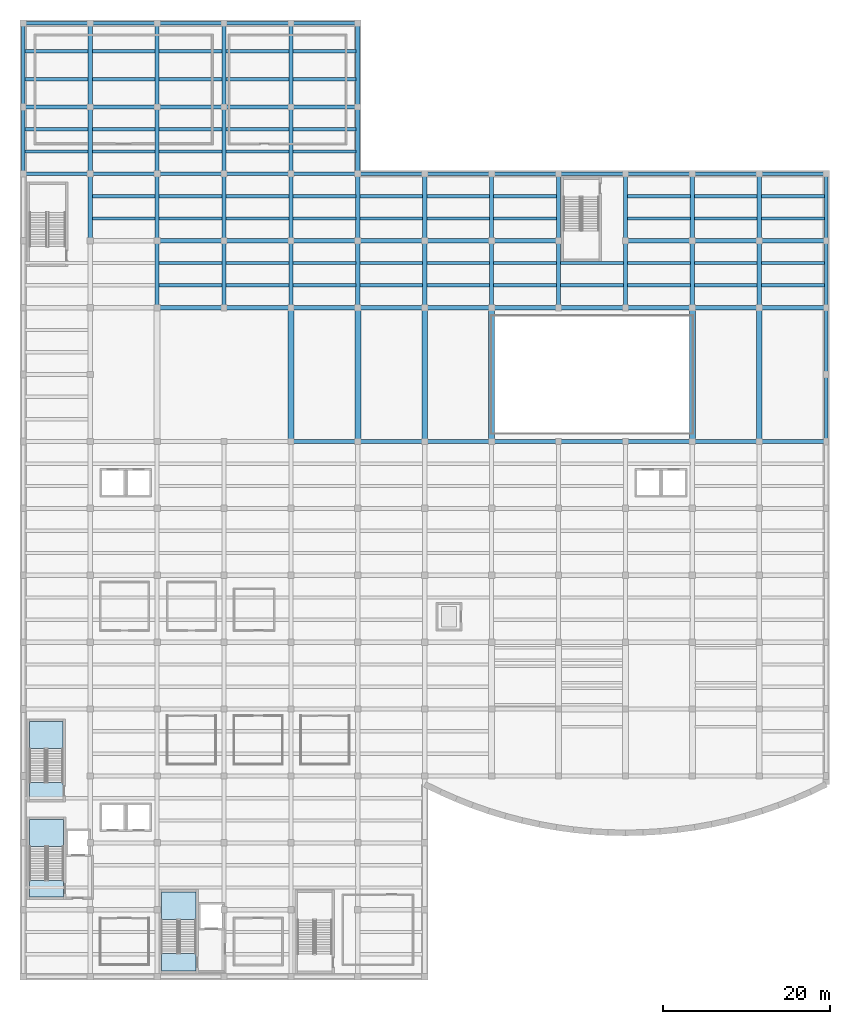
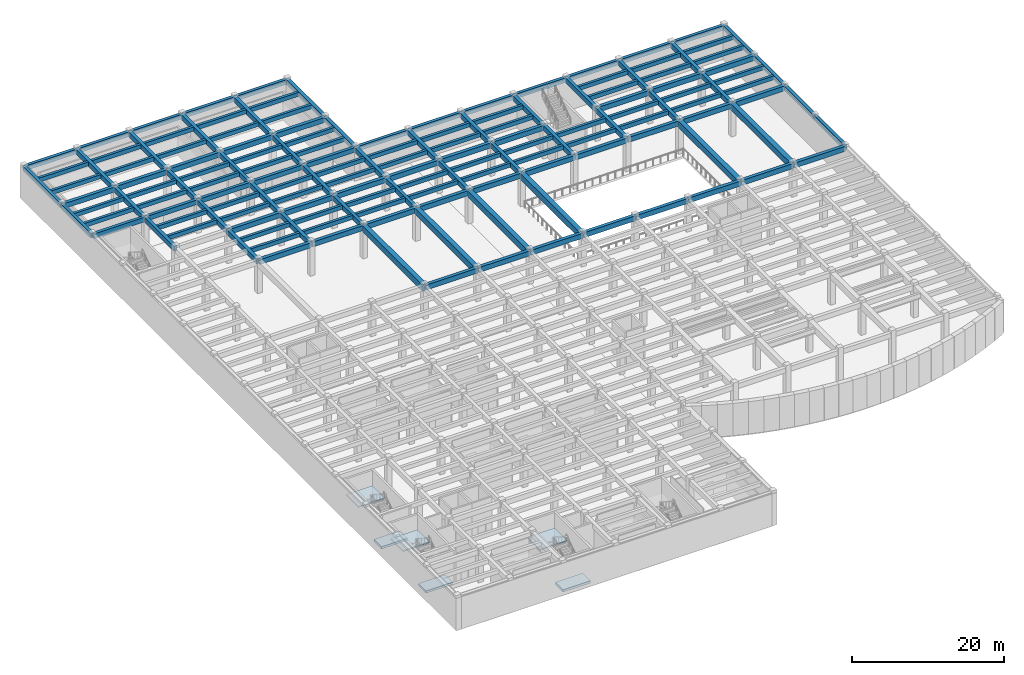
# One storey, part 3 of 19: 152 beams, 6 slabs, 3 elements without a shape of their own.
"""IFC4 building model written with IfcOpenShell, lengths in metres."""

from ifc_helpers import new_model, si_unit, direction, frame, origin, origin_2d, place, context, subcontext, project, spatial, polyline, rectangle, outline, extrude, material, layer, layer_set, material_profile, profile_set, type_object, element, aggregate, save


model = new_model("IFC4")

# Units and contexts
model_context = context("Model", 3, precision=1e-05, world=origin(), true_north=direction((0.0, 1.0)))
body_context = subcontext(model_context, "Body", "Model", "MODEL_VIEW")
ifc_project = project(units=[si_unit("LENGTHUNIT", "METRE"), si_unit("AREAUNIT", "SQUARE_METRE"), si_unit("VOLUMEUNIT", "CUBIC_METRE"), si_unit("PLANEANGLEUNIT", "RADIAN"), si_unit("MASSUNIT", "GRAM", prefix="KILO")], contexts=[model_context])

# Site, building, storey
site_placement = place(None, origin())
site = spatial("IfcSite", under=ifc_project, at=site_placement, CompositionType="ELEMENT")
building_placement = place(site_placement, origin())
building = spatial("IfcBuilding", under=site, at=building_placement, Name="Drelvath Fold Interchange", CompositionType="ELEMENT")
storey_placement = place(building_placement, frame((0.0, 0.0, -5.60009765625)))
storey = spatial("IfcBuildingStorey", under=building, at=storey_placement, Name="B1", CompositionType="ELEMENT", Elevation=-5.60009765625)

# Beams
ifc_material_1 = material(Name="Concrete f'c 45 MPa (6500 psi)", Category="concrete")
ifc_material_profile_1 = material_profile(ifc_material_1, rectangle(XDim=0.39990234375, YDim=0.64990234375, at=origin_2d()), Name="RC 400x650")
ifc_profile_set_1 = profile_set([ifc_material_profile_1], Name="Concrete f'c 45 MPa (6500 psi)")
beam_type_1 = type_object("IfcBeamType", Name="BM-RC400", PredefinedType="JOIST", material=ifc_profile_set_1)
for number, where, z_axis, x_axis, name in (
    (1, (4.222900390625, 101.6669921875, 4.955078125), (1.0, 0.0, 0.0), (0.0, 1.0, 0.0), "B1 Secondary floor joist BM-RC400"),
    (2, (4.222900390625, 104.3330078125, 4.955078125), (1.0, 0.0, 0.0), (0.0, 1.0, 0.0), "B1 Secondary floor joist BM-RC400"),
    (3, (4.222900390625, 110.3330078125, 4.955078125), (1.0, 0.0, 0.0), (0.0, 1.0, 0.0), "B1 Secondary floor joist BM-RC400"),
    (4, (4.222900390625, 113.6669921875, 4.955078125), (1.0, 0.0, 0.0), (0.0, 1.0, 0.0), "B1 Secondary floor joist BM-RC400"),
):
    element("IfcBeam", number, at=place(storey_placement, frame(where, z_axis=z_axis, x_axis=x_axis)), inside=storey, type_object=beam_type_1, Name=name, PredefinedType="JOIST", context=body_context, shape_type="SweptSolid", body=[
        extrude(rectangle(XDim=0.39990234375, YDim=0.64990234375, at=origin_2d()), origin(), (0.0, 0.0, 1.0), 7.529052734375),
    ])
for number, where, z_axis, x_axis, name in (
    (5, (12.248046875, 93.6669921875, 4.955078125), (1.0, 0.0, 0.0), (0.0, 1.0, 0.0), "B1 Secondary floor joist BM-RC400"),
    (6, (12.248046875, 96.3330078125, 4.955078125), (1.0, 0.0, 0.0), (0.0, 1.0, 0.0), "B1 Secondary floor joist BM-RC400"),
    (7, (12.248046875, 101.6669921875, 4.955078125), (1.0, 0.0, 0.0), (0.0, 1.0, 0.0), "B1 Secondary floor joist BM-RC400"),
    (8, (12.248046875, 104.3330078125, 4.955078125), (1.0, 0.0, 0.0), (0.0, 1.0, 0.0), "B1 Secondary floor joist BM-RC400"),
    (9, (12.248046875, 110.3330078125, 4.955078125), (1.0, 0.0, 0.0), (0.0, 1.0, 0.0), "B1 Secondary floor joist BM-RC400"),
    (10, (12.248046875, 113.6669921875, 4.955078125), (1.0, 0.0, 0.0), (0.0, 1.0, 0.0), "B1 Secondary floor joist BM-RC400"),
    (11, (20.248046875, 85.6669921875, 4.955078125), (1.0, 0.0, 0.0), (0.0, 1.0, 0.0), "B1 Secondary floor joist BM-RC400"),
    (12, (20.248046875, 88.3330078125, 4.955078125), (1.0, 0.0, 0.0), (0.0, 1.0, 0.0), "B1 Secondary floor joist BM-RC400"),
    (13, (20.248046875, 93.6669921875, 4.955078125), (1.0, 0.0, 0.0), (0.0, 1.0, 0.0), "B1 Secondary floor joist BM-RC400"),
    (14, (20.248046875, 96.3330078125, 4.955078125), (1.0, 0.0, 0.0), (0.0, 1.0, 0.0), "B1 Secondary floor joist BM-RC400"),
    (15, (20.248046875, 101.6669921875, 4.955078125), (1.0, 0.0, 0.0), (0.0, 1.0, 0.0), "B1 Secondary floor joist BM-RC400"),
    (16, (20.248046875, 104.3330078125, 4.955078125), (1.0, 0.0, 0.0), (0.0, 1.0, 0.0), "B1 Secondary floor joist BM-RC400"),
    (17, (20.248046875, 110.3330078125, 4.955078125), (1.0, 0.0, 0.0), (0.0, 1.0, 0.0), "B1 Secondary floor joist BM-RC400"),
    (18, (20.248046875, 113.6669921875, 4.955078125), (1.0, 0.0, 0.0), (0.0, 1.0, 0.0), "B1 Secondary floor joist BM-RC400"),
    (19, (28.248046875, 85.6669921875, 4.955078125), (1.0, 0.0, 0.0), (0.0, 1.0, 0.0), "B1 Secondary floor joist BM-RC400"),
    (20, (28.248046875, 88.3330078125, 4.955078125), (1.0, 0.0, 0.0), (0.0, 1.0, 0.0), "B1 Secondary floor joist BM-RC400"),
    (21, (28.248046875, 93.6669921875, 4.955078125), (1.0, 0.0, 0.0), (0.0, 1.0, 0.0), "B1 Secondary floor joist BM-RC400"),
    (22, (28.248046875, 96.3330078125, 4.955078125), (1.0, 0.0, 0.0), (0.0, 1.0, 0.0), "B1 Secondary floor joist BM-RC400"),
    (23, (28.248046875, 101.6669921875, 4.955078125), (1.0, 0.0, 0.0), (0.0, 1.0, 0.0), "B1 Secondary floor joist BM-RC400"),
    (24, (28.248046875, 104.3330078125, 4.955078125), (1.0, 0.0, 0.0), (0.0, 1.0, 0.0), "B1 Secondary floor joist BM-RC400"),
    (25, (28.248046875, 110.3330078125, 4.955078125), (1.0, 0.0, 0.0), (0.0, 1.0, 0.0), "B1 Secondary floor joist BM-RC400"),
    (26, (28.248046875, 113.6669921875, 4.955078125), (1.0, 0.0, 0.0), (0.0, 1.0, 0.0), "B1 Secondary floor joist BM-RC400"),
    (27, (36.248046875, 85.6669921875, 4.955078125), (1.0, 0.0, 0.0), (0.0, 1.0, 0.0), "B1 Secondary floor joist BM-RC400"),
    (28, (36.248046875, 88.3330078125, 4.955078125), (1.0, 0.0, 0.0), (0.0, 1.0, 0.0), "B1 Secondary floor joist BM-RC400"),
    (29, (36.248046875, 93.6669921875, 4.955078125), (1.0, 0.0, 0.0), (0.0, 1.0, 0.0), "B1 Secondary floor joist BM-RC400"),
    (30, (36.248046875, 96.3330078125, 4.955078125), (1.0, 0.0, 0.0), (0.0, 1.0, 0.0), "B1 Secondary floor joist BM-RC400"),
    (31, (36.248046875, 101.6669921875, 4.955078125), (1.0, 0.0, 0.0), (0.0, 1.0, 0.0), "B1 Secondary floor joist BM-RC400"),
    (32, (36.248046875, 104.3330078125, 4.955078125), (1.0, 0.0, 0.0), (0.0, 1.0, 0.0), "B1 Secondary floor joist BM-RC400"),
    (33, (36.248046875, 110.3330078125, 4.955078125), (1.0, 0.0, 0.0), (0.0, 1.0, 0.0), "B1 Secondary floor joist BM-RC400"),
    (34, (36.248046875, 113.6669921875, 4.955078125), (1.0, 0.0, 0.0), (0.0, 1.0, 0.0), "B1 Secondary floor joist BM-RC400"),
    (35, (44.248046875, 85.6669921875, 4.955078125), (1.0, 0.0, 0.0), (0.0, 1.0, 0.0), "B1 Secondary floor joist BM-RC400"),
    (36, (44.248046875, 88.3330078125, 4.955078125), (1.0, 0.0, 0.0), (0.0, 1.0, 0.0), "B1 Secondary floor joist BM-RC400"),
    (37, (44.248046875, 93.6669921875, 4.955078125), (1.0, 0.0, 0.0), (0.0, 1.0, 0.0), "B1 Secondary floor joist BM-RC400"),
    (38, (44.248046875, 96.3330078125, 4.955078125), (1.0, 0.0, 0.0), (0.0, 1.0, 0.0), "B1 Secondary floor joist BM-RC400"),
    (39, (52.248046875, 85.6669921875, 4.955078125), (1.0, 0.0, 0.0), (0.0, 1.0, 0.0), "B1 Secondary floor joist BM-RC400"),
    (40, (52.248046875, 88.3330078125, 4.955078125), (1.0, 0.0, 0.0), (0.0, 1.0, 0.0), "B1 Secondary floor joist BM-RC400"),
    (41, (52.248046875, 93.6669921875, 4.955078125), (1.0, 0.0, 0.0), (0.0, 1.0, 0.0), "B1 Secondary floor joist BM-RC400"),
    (42, (52.248046875, 96.3330078125, 4.955078125), (1.0, 0.0, 0.0), (0.0, 1.0, 0.0), "B1 Secondary floor joist BM-RC400"),
    (43, (60.248046875, 85.6669921875, 4.955078125), (1.0, 0.0, 0.0), (0.0, 1.0, 0.0), "B1 Secondary floor joist BM-RC400"),
    (44, (60.248046875, 88.3330078125, 4.955078125), (1.0, 0.0, 0.0), (0.0, 1.0, 0.0), "B1 Secondary floor joist BM-RC400"),
    (45, (60.248046875, 93.6669921875, 4.955078125), (1.0, 0.0, 0.0), (0.0, 1.0, 0.0), "B1 Secondary floor joist BM-RC400"),
    (46, (60.248046875, 96.3330078125, 4.955078125), (1.0, 0.0, 0.0), (0.0, 1.0, 0.0), "B1 Secondary floor joist BM-RC400"),
    (47, (68.248046875, 85.6669921875, 4.955078125), (1.0, 0.0, 0.0), (0.0, 1.0, 0.0), "B1 Secondary floor joist BM-RC400"),
    (48, (68.248046875, 88.3330078125, 4.955078125), (1.0, 0.0, 0.0), (0.0, 1.0, 0.0), "B1 Secondary floor joist BM-RC400"),
    (49, (76.248046875, 85.6669921875, 4.955078125), (1.0, 0.0, 0.0), (0.0, 1.0, 0.0), "B1 Secondary floor joist BM-RC400"),
    (50, (76.248046875, 88.3330078125, 4.955078125), (1.0, 0.0, 0.0), (0.0, 1.0, 0.0), "B1 Secondary floor joist BM-RC400"),
    (51, (76.248046875, 93.6669921875, 4.955078125), (1.0, 0.0, 0.0), (0.0, 1.0, 0.0), "B1 Secondary floor joist BM-RC400"),
    (52, (76.248046875, 96.3330078125, 4.955078125), (1.0, 0.0, 0.0), (0.0, 1.0, 0.0), "B1 Secondary floor joist BM-RC400"),
    (53, (84.248046875, 85.6669921875, 4.955078125), (1.0, 0.0, 0.0), (0.0, 1.0, 0.0), "B1 Secondary floor joist BM-RC400"),
    (54, (84.248046875, 88.3330078125, 4.955078125), (1.0, 0.0, 0.0), (0.0, 1.0, 0.0), "B1 Secondary floor joist BM-RC400"),
    (55, (84.248046875, 93.6669921875, 4.955078125), (1.0, 0.0, 0.0), (0.0, 1.0, 0.0), "B1 Secondary floor joist BM-RC400"),
    (56, (84.248046875, 96.3330078125, 4.955078125), (1.0, 0.0, 0.0), (0.0, 1.0, 0.0), "B1 Secondary floor joist BM-RC400"),
):
    element("IfcBeam", number, at=place(storey_placement, frame(where, z_axis=z_axis, x_axis=x_axis)), inside=storey, type_object=beam_type_1, Name=name, PredefinedType="JOIST", context=body_context, shape_type="SweptSolid", body=[
        extrude(rectangle(XDim=0.39990234375, YDim=0.64990234375, at=origin_2d()), origin(), (0.0, 0.0, 1.0), 7.50390625),
    ])
for number, where, z_axis, x_axis, name in (
    (57, (92.248046875, 85.6669921875, 4.955078125), (1.0, 0.0, 0.0), (0.0, 1.0, 0.0), "B1 Secondary floor joist BM-RC400"),
    (58, (92.248046875, 88.3330078125, 4.955078125), (1.0, 0.0, 0.0), (0.0, 1.0, 0.0), "B1 Secondary floor joist BM-RC400"),
    (59, (92.248046875, 93.6669921875, 4.955078125), (1.0, 0.0, 0.0), (0.0, 1.0, 0.0), "B1 Secondary floor joist BM-RC400"),
    (60, (92.248046875, 96.3330078125, 4.955078125), (1.0, 0.0, 0.0), (0.0, 1.0, 0.0), "B1 Secondary floor joist BM-RC400"),
):
    element("IfcBeam", number, at=place(storey_placement, frame(where, z_axis=z_axis, x_axis=x_axis)), inside=storey, type_object=beam_type_1, Name=name, PredefinedType="JOIST", context=body_context, shape_type="SweptSolid", body=[
        extrude(rectangle(XDim=0.39990234375, YDim=0.64990234375, at=origin_2d()), origin(), (0.0, 0.0, 1.0), 7.529052734375),
    ])
ifc_material_profile_2 = material_profile(ifc_material_1, rectangle(XDim=0.449951171875, YDim=0.75, at=origin_2d()), Name="RC 450x750")
ifc_profile_set_2 = profile_set([ifc_material_profile_2], Name="Concrete f'c 45 MPa (6500 psi)")
beam_type_2 = type_object("IfcBeamType", Name="BM-RC450", PredefinedType="SPANDREL", material=ifc_profile_set_2)
for number, where, z_axis, x_axis, name in (
    (61, (4.06005859375, 99.0, 4.905029296875), (1.0, 0.0, 0.0), (0.0, 1.0, 0.0), "B1 Primary X girder BM-RC450"),
    (62, (12.06005859375, 99.0, 4.905029296875), (1.0, 0.0, 0.0), (0.0, 1.0, 0.0), "B1 Primary X girder BM-RC450"),
    (63, (20.06005859375, 99.0, 4.905029296875), (1.0, 0.0, 0.0), (0.0, 1.0, 0.0), "B1 Primary X girder BM-RC450"),
    (64, (28.06005859375, 99.0, 4.905029296875), (1.0, 0.0, 0.0), (0.0, 1.0, 0.0), "B1 Primary X girder BM-RC450"),
    (65, (36.06005859375, 99.0, 4.905029296875), (1.0, 0.0, 0.0), (0.0, 1.0, 0.0), "B1 Primary X girder BM-RC450"),
    (66, (44.06005859375, 99.0, 4.905029296875), (1.0, 0.0, 0.0), (0.0, 1.0, 0.0), "B1 Primary X girder BM-RC450"),
    (67, (52.06005859375, 99.0, 4.905029296875), (1.0, 0.0, 0.0), (0.0, 1.0, 0.0), "B1 Primary X girder BM-RC450"),
    (68, (60.06005859375, 99.0, 4.905029296875), (1.0, 0.0, 0.0), (0.0, 1.0, 0.0), "B1 Primary X girder BM-RC450"),
    (69, (68.06005859375, 99.0, 4.905029296875), (1.0, 0.0, 0.0), (0.0, 1.0, 0.0), "B1 Primary X girder BM-RC450"),
    (70, (76.06005859375, 99.0, 4.905029296875), (1.0, 0.0, 0.0), (0.0, 1.0, 0.0), "B1 Primary X girder BM-RC450"),
    (71, (84.06005859375, 99.0, 4.905029296875), (1.0, 0.0, 0.0), (0.0, 1.0, 0.0), "B1 Primary X girder BM-RC450"),
    (72, (92.06005859375, 99.0, 4.905029296875), (1.0, 0.0, 0.0), (0.0, 1.0, 0.0), "B1 Primary X girder BM-RC450"),
    (73, (4.06005859375, 117.0, 4.905029296875), (1.0, 0.0, 0.0), (0.0, 1.0, 0.0), "B1 Primary X girder BM-RC450"),
    (74, (12.06005859375, 117.0, 4.905029296875), (1.0, 0.0, 0.0), (0.0, 1.0, 0.0), "B1 Primary X girder BM-RC450"),
    (75, (20.06005859375, 117.0, 4.905029296875), (1.0, 0.0, 0.0), (0.0, 1.0, 0.0), "B1 Primary X girder BM-RC450"),
    (76, (28.06005859375, 117.0, 4.905029296875), (1.0, 0.0, 0.0), (0.0, 1.0, 0.0), "B1 Primary X girder BM-RC450"),
    (77, (36.06005859375, 117.0, 4.905029296875), (1.0, 0.0, 0.0), (0.0, 1.0, 0.0), "B1 Primary X girder BM-RC450"),
    (78, (4.0, 99.06005859375, 4.905029296875), (0.0, 1.0, 0.0), (-1.0, 0.0, 0.0), "B1 Primary Y girder BM-RC450"),
):
    element("IfcBeam", number, at=place(storey_placement, frame(where, z_axis=z_axis, x_axis=x_axis)), inside=storey, type_object=beam_type_2, Name=name, PredefinedType="SPANDREL", context=body_context, shape_type="SweptSolid", body=[
        extrude(rectangle(XDim=0.449951171875, YDim=0.75, at=origin_2d()), origin(), (0.0, 0.0, 1.0), 7.8798828125),
    ])
beam_1_placement = place(storey_placement, frame((4.0, 107.06005859375, 4.905029296875), z_axis=(0.0, 1.0, 0.0), x_axis=(-1.0, 0.0, 0.0)))
element("IfcBeam", 79, at=beam_1_placement, inside=storey, type_object=beam_type_2, Name="B1 Primary Y girder BM-RC450", PredefinedType="SPANDREL", context=body_context, shape_type="SweptSolid", body=[
    extrude(rectangle(XDim=0.449951171875, YDim=0.75, at=origin_2d()), origin(), (0.0, 0.0, 1.0), 9.8798828125),
])
for number, where, z_axis, x_axis, name in (
    (80, (100.0, 67.06005859375, 4.905029296875), (0.0, 1.0, 0.0), (-1.0, 0.0, 0.0), "B1 Primary Y girder BM-RC450"),
    (81, (100.0, 75.06005859375, 4.905029296875), (0.0, 1.0, 0.0), (-1.0, 0.0, 0.0), "B1 Primary Y girder BM-RC450"),
    (82, (100.0, 83.06005859375, 4.905029296875), (0.0, 1.0, 0.0), (-1.0, 0.0, 0.0), "B1 Primary Y girder BM-RC450"),
    (83, (100.0, 91.06005859375, 4.905029296875), (0.0, 1.0, 0.0), (-1.0, 0.0, 0.0), "B1 Primary Y girder BM-RC450"),
):
    element("IfcBeam", number, at=place(storey_placement, frame(where, z_axis=z_axis, x_axis=x_axis)), inside=storey, type_object=beam_type_2, Name=name, PredefinedType="SPANDREL", context=body_context, shape_type="SweptSolid", body=[
        extrude(rectangle(XDim=0.449951171875, YDim=0.75, at=origin_2d()), origin(), (0.0, 0.0, 1.0), 7.8798828125),
    ])
ifc_material_profile_3 = material_profile(ifc_material_1, rectangle(XDim=0.5, YDim=0.800048828125, at=origin_2d()), Name="RC 500x800")
ifc_profile_set_3 = profile_set([ifc_material_profile_3], Name="Concrete f'c 45 MPa (6500 psi)")
beam_type_3 = type_object("IfcBeamType", Name="BM-RC500", PredefinedType="BEAM", material=ifc_profile_set_3)
for number, where, z_axis, x_axis, name in (
    (84, (36.06005859375, 67.0, 4.880126953125), (1.0, 0.0, 0.0), (0.0, 1.0, 0.0), "B1 Primary X girder BM-RC500"),
    (85, (44.06005859375, 67.0, 4.880126953125), (1.0, 0.0, 0.0), (0.0, 1.0, 0.0), "B1 Primary X girder BM-RC500"),
    (86, (52.06005859375, 67.0, 4.880126953125), (1.0, 0.0, 0.0), (0.0, 1.0, 0.0), "B1 Primary X girder BM-RC500"),
    (87, (60.06005859375, 67.0, 4.880126953125), (1.0, 0.0, 0.0), (0.0, 1.0, 0.0), "B1 Primary X girder BM-RC500"),
    (88, (68.06005859375, 67.0, 4.880126953125), (1.0, 0.0, 0.0), (0.0, 1.0, 0.0), "B1 Primary X girder BM-RC500"),
    (89, (76.06005859375, 67.0, 4.880126953125), (1.0, 0.0, 0.0), (0.0, 1.0, 0.0), "B1 Primary X girder BM-RC500"),
    (90, (84.06005859375, 67.0, 4.880126953125), (1.0, 0.0, 0.0), (0.0, 1.0, 0.0), "B1 Primary X girder BM-RC500"),
    (91, (92.06005859375, 67.0, 4.880126953125), (1.0, 0.0, 0.0), (0.0, 1.0, 0.0), "B1 Primary X girder BM-RC500"),
    (92, (20.06005859375, 83.0, 4.880126953125), (1.0, 0.0, 0.0), (0.0, 1.0, 0.0), "B1 Primary X girder BM-RC500"),
    (93, (28.06005859375, 83.0, 4.880126953125), (1.0, 0.0, 0.0), (0.0, 1.0, 0.0), "B1 Primary X girder BM-RC500"),
    (94, (36.06005859375, 83.0, 4.880126953125), (1.0, 0.0, 0.0), (0.0, 1.0, 0.0), "B1 Primary X girder BM-RC500"),
    (95, (44.06005859375, 83.0, 4.880126953125), (1.0, 0.0, 0.0), (0.0, 1.0, 0.0), "B1 Primary X girder BM-RC500"),
    (96, (52.06005859375, 83.0, 4.880126953125), (1.0, 0.0, 0.0), (0.0, 1.0, 0.0), "B1 Primary X girder BM-RC500"),
    (97, (60.06005859375, 83.0, 4.880126953125), (1.0, 0.0, 0.0), (0.0, 1.0, 0.0), "B1 Primary X girder BM-RC500"),
    (98, (68.06005859375, 83.0, 4.880126953125), (1.0, 0.0, 0.0), (0.0, 1.0, 0.0), "B1 Primary X girder BM-RC500"),
    (99, (76.06005859375, 83.0, 4.880126953125), (1.0, 0.0, 0.0), (0.0, 1.0, 0.0), "B1 Primary X girder BM-RC500"),
    (100, (84.06005859375, 83.0, 4.880126953125), (1.0, 0.0, 0.0), (0.0, 1.0, 0.0), "B1 Primary X girder BM-RC500"),
    (101, (92.06005859375, 83.0, 4.880126953125), (1.0, 0.0, 0.0), (0.0, 1.0, 0.0), "B1 Primary X girder BM-RC500"),
    (102, (20.06005859375, 91.0, 4.880126953125), (1.0, 0.0, 0.0), (0.0, 1.0, 0.0), "B1 Primary X girder BM-RC500"),
    (103, (28.06005859375, 91.0, 4.880126953125), (1.0, 0.0, 0.0), (0.0, 1.0, 0.0), "B1 Primary X girder BM-RC500"),
    (104, (36.06005859375, 91.0, 4.880126953125), (1.0, 0.0, 0.0), (0.0, 1.0, 0.0), "B1 Primary X girder BM-RC500"),
    (105, (44.06005859375, 91.0, 4.880126953125), (1.0, 0.0, 0.0), (0.0, 1.0, 0.0), "B1 Primary X girder BM-RC500"),
    (106, (52.06005859375, 91.0, 4.880126953125), (1.0, 0.0, 0.0), (0.0, 1.0, 0.0), "B1 Primary X girder BM-RC500"),
    (107, (60.06005859375, 91.0, 4.880126953125), (1.0, 0.0, 0.0), (0.0, 1.0, 0.0), "B1 Primary X girder BM-RC500"),
    (108, (76.06005859375, 91.0, 4.880126953125), (1.0, 0.0, 0.0), (0.0, 1.0, 0.0), "B1 Primary X girder BM-RC500"),
    (109, (84.06005859375, 91.0, 4.880126953125), (1.0, 0.0, 0.0), (0.0, 1.0, 0.0), "B1 Primary X girder BM-RC500"),
    (110, (92.06005859375, 91.0, 4.880126953125), (1.0, 0.0, 0.0), (0.0, 1.0, 0.0), "B1 Primary X girder BM-RC500"),
    (111, (4.06005859375, 107.0, 4.880126953125), (1.0, 0.0, 0.0), (0.0, 1.0, 0.0), "B1 Primary X girder BM-RC500"),
    (112, (12.06005859375, 107.0, 4.880126953125), (1.0, 0.0, 0.0), (0.0, 1.0, 0.0), "B1 Primary X girder BM-RC500"),
    (113, (20.06005859375, 107.0, 4.880126953125), (1.0, 0.0, 0.0), (0.0, 1.0, 0.0), "B1 Primary X girder BM-RC500"),
    (114, (28.06005859375, 107.0, 4.880126953125), (1.0, 0.0, 0.0), (0.0, 1.0, 0.0), "B1 Primary X girder BM-RC500"),
    (115, (36.06005859375, 107.0, 4.880126953125), (1.0, 0.0, 0.0), (0.0, 1.0, 0.0), "B1 Primary X girder BM-RC500"),
    (116, (12.0, 91.06005859375, 4.880126953125), (0.0, 1.0, 0.0), (-1.0, 0.0, 0.0), "B1 Primary Y girder BM-RC500"),
    (117, (12.0, 99.06005859375, 4.880126953125), (0.0, 1.0, 0.0), (-1.0, 0.0, 0.0), "B1 Primary Y girder BM-RC500"),
):
    element("IfcBeam", number, at=place(storey_placement, frame(where, z_axis=z_axis, x_axis=x_axis)), inside=storey, type_object=beam_type_3, Name=name, PredefinedType="BEAM", context=body_context, shape_type="SweptSolid", body=[
        extrude(rectangle(XDim=0.5, YDim=0.800048828125, at=origin_2d()), origin(), (0.0, 0.0, 1.0), 7.8798828125),
    ])
beam_2_placement = place(storey_placement, frame((12.0, 107.06005859375, 4.880126953125), z_axis=(0.0, 1.0, 0.0), x_axis=(-1.0, 0.0, 0.0)))
element("IfcBeam", 118, at=beam_2_placement, inside=storey, type_object=beam_type_3, Name="B1 Primary Y girder BM-RC500", PredefinedType="BEAM", context=body_context, shape_type="SweptSolid", body=[
    extrude(rectangle(XDim=0.5, YDim=0.800048828125, at=origin_2d()), origin(), (0.0, 0.0, 1.0), 9.8798828125),
])
for number, where, z_axis, x_axis, name in (
    (119, (20.0, 83.06005859375, 4.880126953125), (0.0, 1.0, 0.0), (-1.0, 0.0, 0.0), "B1 Primary Y girder BM-RC500"),
    (120, (20.0, 91.06005859375, 4.880126953125), (0.0, 1.0, 0.0), (-1.0, 0.0, 0.0), "B1 Primary Y girder BM-RC500"),
    (121, (20.0, 99.06005859375, 4.880126953125), (0.0, 1.0, 0.0), (-1.0, 0.0, 0.0), "B1 Primary Y girder BM-RC500"),
):
    element("IfcBeam", number, at=place(storey_placement, frame(where, z_axis=z_axis, x_axis=x_axis)), inside=storey, type_object=beam_type_3, Name=name, PredefinedType="BEAM", context=body_context, shape_type="SweptSolid", body=[
        extrude(rectangle(XDim=0.5, YDim=0.800048828125, at=origin_2d()), origin(), (0.0, 0.0, 1.0), 7.8798828125),
    ])
beam_3_placement = place(storey_placement, frame((20.0, 107.06005859375, 4.880126953125), z_axis=(0.0, 1.0, 0.0), x_axis=(-1.0, 0.0, 0.0)))
element("IfcBeam", 122, at=beam_3_placement, inside=storey, type_object=beam_type_3, Name="B1 Primary Y girder BM-RC500", PredefinedType="BEAM", context=body_context, shape_type="SweptSolid", body=[
    extrude(rectangle(XDim=0.5, YDim=0.800048828125, at=origin_2d()), origin(), (0.0, 0.0, 1.0), 9.8798828125),
])
for number, where, z_axis, x_axis, name in (
    (123, (28.0, 83.06005859375, 4.880126953125), (0.0, 1.0, 0.0), (-1.0, 0.0, 0.0), "B1 Primary Y girder BM-RC500"),
    (124, (28.0, 91.06005859375, 4.880126953125), (0.0, 1.0, 0.0), (-1.0, 0.0, 0.0), "B1 Primary Y girder BM-RC500"),
    (125, (28.0, 99.06005859375, 4.880126953125), (0.0, 1.0, 0.0), (-1.0, 0.0, 0.0), "B1 Primary Y girder BM-RC500"),
):
    element("IfcBeam", number, at=place(storey_placement, frame(where, z_axis=z_axis, x_axis=x_axis)), inside=storey, type_object=beam_type_3, Name=name, PredefinedType="BEAM", context=body_context, shape_type="SweptSolid", body=[
        extrude(rectangle(XDim=0.5, YDim=0.800048828125, at=origin_2d()), origin(), (0.0, 0.0, 1.0), 7.8798828125),
    ])
beam_4_placement = place(storey_placement, frame((28.0, 107.06005859375, 4.880126953125), z_axis=(0.0, 1.0, 0.0), x_axis=(-1.0, 0.0, 0.0)))
element("IfcBeam", 126, at=beam_4_placement, inside=storey, type_object=beam_type_3, Name="B1 Primary Y girder BM-RC500", PredefinedType="BEAM", context=body_context, shape_type="SweptSolid", body=[
    extrude(rectangle(XDim=0.5, YDim=0.800048828125, at=origin_2d()), origin(), (0.0, 0.0, 1.0), 9.8798828125),
])
for number, where, z_axis, x_axis, name in (
    (127, (36.0, 83.06005859375, 4.880126953125), (0.0, 1.0, 0.0), (-1.0, 0.0, 0.0), "B1 Primary Y girder BM-RC500"),
    (128, (36.0, 91.06005859375, 4.880126953125), (0.0, 1.0, 0.0), (-1.0, 0.0, 0.0), "B1 Primary Y girder BM-RC500"),
    (129, (36.0, 99.06005859375, 4.880126953125), (0.0, 1.0, 0.0), (-1.0, 0.0, 0.0), "B1 Primary Y girder BM-RC500"),
):
    element("IfcBeam", number, at=place(storey_placement, frame(where, z_axis=z_axis, x_axis=x_axis)), inside=storey, type_object=beam_type_3, Name=name, PredefinedType="BEAM", context=body_context, shape_type="SweptSolid", body=[
        extrude(rectangle(XDim=0.5, YDim=0.800048828125, at=origin_2d()), origin(), (0.0, 0.0, 1.0), 7.8798828125),
    ])
beam_5_placement = place(storey_placement, frame((36.0, 107.06005859375, 4.880126953125), z_axis=(0.0, 1.0, 0.0), x_axis=(-1.0, 0.0, 0.0)))
element("IfcBeam", 130, at=beam_5_placement, inside=storey, type_object=beam_type_3, Name="B1 Primary Y girder BM-RC500", PredefinedType="BEAM", context=body_context, shape_type="SweptSolid", body=[
    extrude(rectangle(XDim=0.5, YDim=0.800048828125, at=origin_2d()), origin(), (0.0, 0.0, 1.0), 9.8798828125),
])
for number, where, z_axis, x_axis, name in (
    (131, (44.0, 83.06005859375, 4.880126953125), (0.0, 1.0, 0.0), (-1.0, 0.0, 0.0), "B1 Primary Y girder BM-RC500"),
    (132, (44.0, 91.06005859375, 4.880126953125), (0.0, 1.0, 0.0), (-1.0, 0.0, 0.0), "B1 Primary Y girder BM-RC500"),
    (133, (44.0, 99.06005859375, 4.880126953125), (0.0, 1.0, 0.0), (-1.0, 0.0, 0.0), "B1 Primary Y girder BM-RC500"),
):
    element("IfcBeam", number, at=place(storey_placement, frame(where, z_axis=z_axis, x_axis=x_axis)), inside=storey, type_object=beam_type_3, Name=name, PredefinedType="BEAM", context=body_context, shape_type="SweptSolid", body=[
        extrude(rectangle(XDim=0.5, YDim=0.800048828125, at=origin_2d()), origin(), (0.0, 0.0, 1.0), 7.8798828125),
    ])
beam_6_placement = place(storey_placement, frame((44.0, 107.06005859375, 4.880126953125), z_axis=(0.0, 1.0, 0.0), x_axis=(-1.0, 0.0, 0.0)))
element("IfcBeam", 134, at=beam_6_placement, inside=storey, type_object=beam_type_3, Name="B1 Primary Y girder BM-RC500", PredefinedType="BEAM", context=body_context, shape_type="SweptSolid", body=[
    extrude(rectangle(XDim=0.5, YDim=0.800048828125, at=origin_2d()), origin(), (0.0, 0.0, 1.0), 9.8798828125),
])
for number, where, z_axis, x_axis, name in (
    (135, (52.0, 83.06005859375, 4.880126953125), (0.0, 1.0, 0.0), (-1.0, 0.0, 0.0), "B1 Primary Y girder BM-RC500"),
    (136, (52.0, 91.06005859375, 4.880126953125), (0.0, 1.0, 0.0), (-1.0, 0.0, 0.0), "B1 Primary Y girder BM-RC500"),
    (137, (60.0, 83.06005859375, 4.880126953125), (0.0, 1.0, 0.0), (-1.0, 0.0, 0.0), "B1 Primary Y girder BM-RC500"),
    (138, (60.0, 91.06005859375, 4.880126953125), (0.0, 1.0, 0.0), (-1.0, 0.0, 0.0), "B1 Primary Y girder BM-RC500"),
    (139, (68.0, 83.06005859375, 4.880126953125), (0.0, 1.0, 0.0), (-1.0, 0.0, 0.0), "B1 Primary Y girder BM-RC500"),
    (140, (68.0, 91.06005859375, 4.880126953125), (0.0, 1.0, 0.0), (-1.0, 0.0, 0.0), "B1 Primary Y girder BM-RC500"),
    (141, (76.0, 83.06005859375, 4.880126953125), (0.0, 1.0, 0.0), (-1.0, 0.0, 0.0), "B1 Primary Y girder BM-RC500"),
    (142, (76.0, 91.06005859375, 4.880126953125), (0.0, 1.0, 0.0), (-1.0, 0.0, 0.0), "B1 Primary Y girder BM-RC500"),
    (143, (84.0, 83.06005859375, 4.880126953125), (0.0, 1.0, 0.0), (-1.0, 0.0, 0.0), "B1 Primary Y girder BM-RC500"),
    (144, (84.0, 91.06005859375, 4.880126953125), (0.0, 1.0, 0.0), (-1.0, 0.0, 0.0), "B1 Primary Y girder BM-RC500"),
    (145, (92.0, 83.06005859375, 4.880126953125), (0.0, 1.0, 0.0), (-1.0, 0.0, 0.0), "B1 Primary Y girder BM-RC500"),
    (146, (92.0, 91.06005859375, 4.880126953125), (0.0, 1.0, 0.0), (-1.0, 0.0, 0.0), "B1 Primary Y girder BM-RC500"),
):
    element("IfcBeam", number, at=place(storey_placement, frame(where, z_axis=z_axis, x_axis=x_axis)), inside=storey, type_object=beam_type_3, Name=name, PredefinedType="BEAM", context=body_context, shape_type="SweptSolid", body=[
        extrude(rectangle(XDim=0.5, YDim=0.800048828125, at=origin_2d()), origin(), (0.0, 0.0, 1.0), 7.8798828125),
    ])
ifc_material_profile_4 = material_profile(ifc_material_1, rectangle(XDim=0.699951171875, YDim=1.0, at=origin_2d()), Name="RC 700x1000")
ifc_profile_set_4 = profile_set([ifc_material_profile_4], Name="Concrete f'c 45 MPa (6500 psi)")
beam_type_4 = type_object("IfcBeamType", Name="BM-RC700", PredefinedType="BEAM", material=ifc_profile_set_4)
for number, where, z_axis, x_axis, name in (
    (147, (36.0, 67.06005859375, 4.780029296875), (0.0, 1.0, 0.0), (-1.0, 0.0, 0.0), "B1 Primary Y girder BM-RC700"),
    (148, (44.0, 67.06005859375, 4.780029296875), (0.0, 1.0, 0.0), (-1.0, 0.0, 0.0), "B1 Primary Y girder BM-RC700"),
    (149, (52.0, 67.06005859375, 4.780029296875), (0.0, 1.0, 0.0), (-1.0, 0.0, 0.0), "B1 Primary Y girder BM-RC700"),
    (150, (60.0, 67.06005859375, 4.780029296875), (0.0, 1.0, 0.0), (-1.0, 0.0, 0.0), "B1 Primary Y girder BM-RC700"),
    (151, (84.0, 67.06005859375, 4.780029296875), (0.0, 1.0, 0.0), (-1.0, 0.0, 0.0), "B1 Primary Y girder BM-RC700"),
    (152, (92.0, 67.06005859375, 4.780029296875), (0.0, 1.0, 0.0), (-1.0, 0.0, 0.0), "B1 Primary Y girder BM-RC700"),
):
    element("IfcBeam", number, at=place(storey_placement, frame(where, z_axis=z_axis, x_axis=x_axis)), inside=storey, type_object=beam_type_4, Name=name, PredefinedType="BEAM", context=body_context, shape_type="SweptSolid", body=[
        extrude(rectangle(XDim=0.699951171875, YDim=1.0, at=origin_2d()), origin(), (0.0, 0.0, 1.0), 15.8798828125),
    ])

# Slabs
ifc_material_2 = material(Name="Concrete f'c 35 MPa (5000 psi)", Category="concrete")
ifc_layer_1 = layer(ifc_material_2, 0.360107421875, Name="Concrete f'c 35 MPa (5000 psi)")
ifc_layer_set_1 = layer_set([ifc_layer_1], Name="Concrete f'c 35 MPa (5000 psi)")
slab_type_1 = type_object("IfcSlabType", Name="FS-B1", PredefinedType="FLOOR", material=ifc_layer_set_1)
slab_1_placement = place(storey_placement, frame((0.0, 0.0, -0.35986328125)))
element("IfcSlab", 153, at=slab_1_placement, inside=storey, type_object=slab_type_1, Name="ST-01 B1 stair floor landing slab", PredefinedType="FLOOR", context=body_context, shape_type="SweptSolid", body=[
    extrude(outline(polyline([(4.75, 12.5), (8.81005859375, 12.5), (8.81005859375, 14.5), (4.75, 14.5), (4.75, 12.5)])), origin(), (0.0, 0.0, 1.0), 0.35986328125),
])
slab_2_placement = place(storey_placement, frame((0.0, 0.0, -0.35986328125)))
element("IfcSlab", 154, at=slab_2_placement, inside=storey, type_object=slab_type_1, Name="ST-02 B1 stair floor landing slab", PredefinedType="FLOOR", context=body_context, shape_type="SweptSolid", body=[
    extrude(outline(polyline([(4.75, 24.199951171875), (8.72998046875, 24.199951171875), (8.72998046875, 26.199951171875), (4.75, 26.199951171875), (4.75, 24.199951171875)])), origin(), (0.0, 0.0, 1.0), 0.35986328125),
])
slab_3_placement = place(storey_placement, frame((0.0, 0.0, -0.35986328125)))
element("IfcSlab", 155, at=slab_3_placement, inside=storey, type_object=slab_type_1, Name="ST-03 B1 stair floor landing slab", PredefinedType="FLOOR", context=body_context, shape_type="SweptSolid", body=[
    extrude(outline(polyline([(20.5, 3.699951171875), (24.659912109375, 3.699951171875), (24.659912109375, 5.75), (20.5, 5.75), (20.5, 3.699951171875)])), origin(), (0.0, 0.0, 1.0), 0.35986328125),
])

# Stair, slab
stair_type_1 = type_object("IfcStairType", Name="STR-01", PredefinedType="HALF_TURN_STAIR", material=ifc_material_2)
stair_1_placement = place(storey_placement, origin())
stair_1 = element("IfcStair", 156, at=stair_1_placement, inside=storey, type_object=stair_type_1, Name="B1 Protected Exit Stair ST-01", PredefinedType="HALF_TURN_STAIR")
ifc_layer_2 = layer(ifc_material_2, 0.199951171875, Name="Concrete f'c 35 MPa (5000 psi)")
ifc_layer_set_2 = layer_set([ifc_layer_2], Name="Concrete f'c 35 MPa (5000 psi)")
slab_type_2 = type_object("IfcSlabType", Name="SL-LND200", PredefinedType="LANDING", material=ifc_layer_set_2)
slab_4_placement = place(storey_placement, frame((0.0, 0.0, 2.60009765625)))
slab_4 = element("IfcSlab", 157, at=slab_4_placement, type_object=slab_type_2, Name="ST-01 landing 1", PredefinedType="LANDING", context=body_context, shape_type="SweptSolid", body=[
    extrude(outline(polyline([(8.81005859375, 18.56005859375), (8.81005859375, 21.800048828125), (4.75, 21.800048828125), (4.75, 18.56005859375), (8.81005859375, 18.56005859375)])), origin(), (0.0, 0.0, 1.0), 0.199951171875),
])
aggregate(stair_1, [slab_4])

stair_type_2 = type_object("IfcStairType", Name="STR-02", PredefinedType="HALF_TURN_STAIR", material=ifc_material_2)
stair_2_placement = place(storey_placement, origin())
stair_2 = element("IfcStair", 158, at=stair_2_placement, inside=storey, type_object=stair_type_2, Name="B1 Protected Exit Stair ST-02", PredefinedType="HALF_TURN_STAIR")
slab_5_placement = place(storey_placement, frame((0.0, 0.0, 2.60009765625)))
slab_5 = element("IfcSlab", 159, at=slab_5_placement, type_object=slab_type_2, Name="ST-02 landing 1", PredefinedType="LANDING", context=body_context, shape_type="SweptSolid", body=[
    extrude(outline(polyline([(8.72998046875, 30.260009765625), (8.72998046875, 33.5), (4.75, 33.5), (4.75, 30.260009765625), (8.72998046875, 30.260009765625)])), origin(), (0.0, 0.0, 1.0), 0.199951171875),
])
aggregate(stair_2, [slab_5])

stair_type_3 = type_object("IfcStairType", Name="STR-03", PredefinedType="HALF_TURN_STAIR", material=ifc_material_2)
stair_3_placement = place(storey_placement, origin())
stair_3 = element("IfcStair", 160, at=stair_3_placement, inside=storey, type_object=stair_type_3, Name="B1 Protected Exit Stair ST-03", PredefinedType="HALF_TURN_STAIR")
slab_6_placement = place(storey_placement, frame((0.0, 0.0, 2.60009765625)))
slab_6 = element("IfcSlab", 161, at=slab_6_placement, type_object=slab_type_2, Name="ST-03 landing 1", PredefinedType="LANDING", context=body_context, shape_type="SweptSolid", body=[
    extrude(outline(polyline([(24.659912109375, 9.81005859375), (24.659912109375, 13.10009765625), (20.5, 13.10009765625), (20.5, 9.81005859375), (24.659912109375, 9.81005859375)])), origin(), (0.0, 0.0, 1.0), 0.199951171875),
])
aggregate(stair_3, [slab_6])

save(model, "model.ifc")
